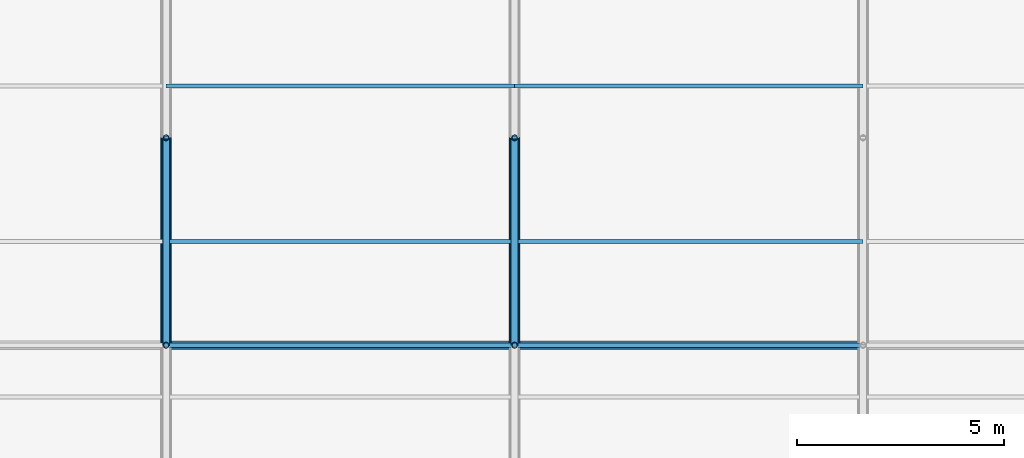
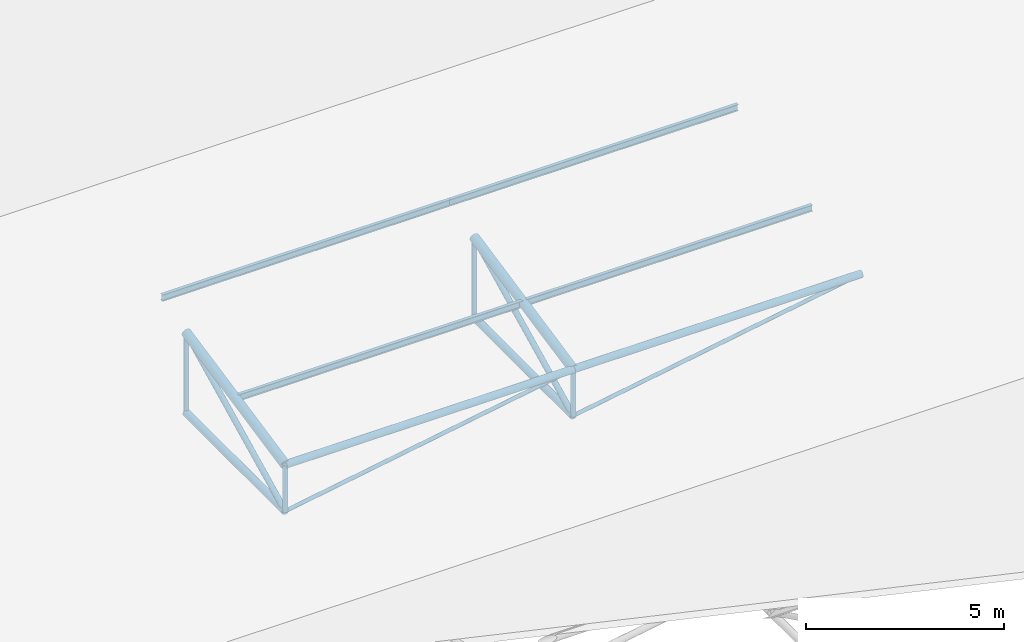
# One storey, part 92 of 194: 14 members, 4 beams.
"""IFC4 building model written with IfcOpenShell, lengths in metres."""

from ifc_helpers import new_model, si_unit, direction, frame, origin, origin_2d, place, context, subcontext, project, spatial, hollow_circle, i_section, extrude, material, material_profile, profile_set, type_object, element, save


model = new_model("IFC4")

# Units and contexts
model_context = context("Model", 3, precision=1e-05, world=origin(), true_north=direction((0.0, 1.0)))
body_context = subcontext(model_context, "Body", "Model", "MODEL_VIEW")
ifc_project = project(units=[si_unit("LENGTHUNIT", "METRE"), si_unit("AREAUNIT", "SQUARE_METRE"), si_unit("VOLUMEUNIT", "CUBIC_METRE"), si_unit("PLANEANGLEUNIT", "RADIAN"), si_unit("MASSUNIT", "GRAM", prefix="KILO")], contexts=[model_context])

# Site, building, storey
site_placement = place(None, origin())
site = spatial("IfcSite", under=ifc_project, at=site_placement, CompositionType="ELEMENT")
building_placement = place(site_placement, origin())
building = spatial("IfcBuilding", under=site, at=building_placement, Name="Kazenagashi Tramway Depot", CompositionType="ELEMENT")
storey_placement = place(building_placement, frame((0.0, 0.0, 23.7)))
storey = spatial("IfcBuildingStorey", under=building, at=storey_placement, Name="ROOF", CompositionType="ELEMENT", Elevation=23.7)

# Beams
ifc_material_1 = material(Name="Steel SN400B", Category="steel")
ifc_material_profile_1 = material_profile(ifc_material_1, i_section(OverallWidth=0.1, OverallDepth=0.2, WebThickness=0.0055, FlangeThickness=0.008, at=origin_2d()), Name="H-200x100x5.5x8")
ifc_profile_set_1 = profile_set([ifc_material_profile_1], Name="Steel SN400B")
beam_type = type_object("IfcBeamType", Name="PR-01", PredefinedType="USERDEFINED", material=ifc_profile_set_1)
for number, where, z_axis, x_axis, name in (
    (1, (145.6, 107.5, -12.13), (1.0, 0.0, 0.0), (0.0, 1.0, 0.0), "Beam PR-01 BM-2156"),
    (2, (154.0, 107.5, -12.13), (1.0, 0.0, 0.0), (0.0, 1.0, 0.0), "Beam PR-01 BM-2157"),
    (3, (145.6, 111.25, -11.305), (1.0, 0.0, 0.0), (0.0, 1.0, 0.0), "Beam PR-01 BM-2174"),
    (4, (154.0, 111.25, -11.305), (1.0, 0.0, 0.0), (0.0, 1.0, 0.0), "Beam PR-01 BM-2175"),
):
    element("IfcBeam", number, at=place(storey_placement, frame(where, z_axis=z_axis, x_axis=x_axis)), inside=storey, type_object=beam_type, Name=name, ObjectType="PURLIN", PredefinedType="USERDEFINED", context=body_context, shape_type="SweptSolid", body=[
        extrude(i_section(OverallWidth=0.1, OverallDepth=0.2, WebThickness=0.0055, FlangeThickness=0.008, at=origin_2d()), origin(), (0.0, 0.0, 1.0), 8.4),
    ])

# Members
ifc_material_2 = material(Name="Steel STK490", Category="steel")
ifc_material_profile_2 = material_profile(ifc_material_2, hollow_circle(Radius=0.1337, WallThickness=0.0093, at=origin_2d()), Name="CHS-267.4x9.3")
ifc_profile_set_2 = profile_set([ifc_material_profile_2], Name="Steel STK490")
member_type_1 = type_object("IfcMemberType", Name="TC-01", PredefinedType="CHORD", material=ifc_profile_set_2)
for number, where, z_axis, x_axis, name in (
    (5, (145.6, 105.0, -12.667), (0.0, 0.979279174591, 0.202514933305), (-1.0, 0.0, 0.0), "Tubular Space Frame TC-01 MEM-0767"),
    (6, (154.0, 105.0, -12.667), (0.0, 0.979279174591, 0.202514933305), (-1.0, 0.0, 0.0), "Tubular Space Frame TC-01 MEM-0828"),
):
    element("IfcMember", number, at=place(storey_placement, frame(where, z_axis=z_axis, x_axis=x_axis)), inside=storey, type_object=member_type_1, Name=name, PredefinedType="CHORD", context=body_context, shape_type="SweptSolid", body=[
        extrude(hollow_circle(Radius=0.1337, WallThickness=0.0093, at=origin_2d()), origin(), (0.0, 0.0, 1.0), 5.105796),
    ])
ifc_material_profile_3 = material_profile(ifc_material_2, hollow_circle(Radius=0.10815, WallThickness=0.0082, at=origin_2d()), Name="CHS-216.3x8.2")
ifc_profile_set_3 = profile_set([ifc_material_profile_3], Name="Steel STK490")
member_type_2 = type_object("IfcMemberType", Name="TC-02", PredefinedType="CHORD", material=ifc_profile_set_3)
member_1_placement = place(storey_placement, frame((145.6, 105.0, -14.1), z_axis=(0.0, 1.0, 0.0), x_axis=(-1.0, 0.0, 0.0)))
element("IfcMember", 7, at=member_1_placement, inside=storey, type_object=member_type_2, Name="Tubular Space Frame TC-02 MEM-0768", PredefinedType="CHORD", context=body_context, shape_type="SweptSolid", body=[
    extrude(hollow_circle(Radius=0.10815, WallThickness=0.0082, at=origin_2d()), origin(), (0.0, 0.0, 1.0), 5.0),
])
member_2_placement = place(storey_placement, frame((145.6, 105.0, -12.667), z_axis=(1.0, 0.0, 0.0), x_axis=(0.0, 1.0, 0.0)))
element("IfcMember", 8, at=member_2_placement, inside=storey, type_object=member_type_2, Name="Tubular Space Frame TC-02 MEM-0788", PredefinedType="CHORD", context=body_context, shape_type="SweptSolid", body=[
    extrude(hollow_circle(Radius=0.10815, WallThickness=0.0082, at=origin_2d()), origin(), (0.0, 0.0, 1.0), 8.4),
])
member_3_placement = place(storey_placement, frame((154.0, 105.0, -14.1), z_axis=(0.0, 1.0, 0.0), x_axis=(-1.0, 0.0, 0.0)))
element("IfcMember", 9, at=member_3_placement, inside=storey, type_object=member_type_2, Name="Tubular Space Frame TC-02 MEM-0829", PredefinedType="CHORD", context=body_context, shape_type="SweptSolid", body=[
    extrude(hollow_circle(Radius=0.10815, WallThickness=0.0082, at=origin_2d()), origin(), (0.0, 0.0, 1.0), 5.0),
])
member_4_placement = place(storey_placement, frame((154.0, 105.0, -12.667), z_axis=(1.0, 0.0, 0.0), x_axis=(0.0, 1.0, 0.0)))
element("IfcMember", 10, at=member_4_placement, inside=storey, type_object=member_type_2, Name="Tubular Space Frame TC-02 MEM-0849", PredefinedType="CHORD", context=body_context, shape_type="SweptSolid", body=[
    extrude(hollow_circle(Radius=0.10815, WallThickness=0.0082, at=origin_2d()), origin(), (0.0, 0.0, 1.0), 8.4),
])
ifc_material_profile_4 = material_profile(ifc_material_2, hollow_circle(Radius=0.0826, WallThickness=0.0071, at=origin_2d()), Name="CHS-165.2x7.1")
ifc_profile_set_4 = profile_set([ifc_material_profile_4], Name="Steel STK490")
member_type_3 = type_object("IfcMemberType", Name="TS-01", PredefinedType="STRUT", material=ifc_profile_set_4)
for number, where, z_axis, x_axis, name in (
    (11, (145.6, 105.0, -14.1), (0.0, 0.896782162482, 0.442472318969), (-1.0, 0.0, 0.0), "Tubular Space Frame TS-01 MEM-0769"),
    (12, (154.0, 105.0, -14.1), (0.0, 0.896782162482, 0.442472318969), (-1.0, 0.0, 0.0), "Tubular Space Frame TS-01 MEM-0830"),
):
    element("IfcMember", number, at=place(storey_placement, frame(where, z_axis=z_axis, x_axis=x_axis)), inside=storey, type_object=member_type_3, Name=name, PredefinedType="STRUT", context=body_context, shape_type="SweptSolid", body=[
        extrude(hollow_circle(Radius=0.0826, WallThickness=0.0071, at=origin_2d()), origin(), (0.0, 0.0, 1.0), 5.57549),
    ])
ifc_material_profile_5 = material_profile(ifc_material_2, hollow_circle(Radius=0.0699, WallThickness=0.0066, at=origin_2d()), Name="CHS-139.8x6.6")
ifc_profile_set_5 = profile_set([ifc_material_profile_5], Name="Steel STK490")
member_type_4 = type_object("IfcMemberType", Name="TS-02", PredefinedType="STRUT", material=ifc_profile_set_5)
member_5_placement = place(storey_placement, frame((145.6, 105.0, -14.1), z_axis=(0.0, 0.0, 1.0), x_axis=(1.0, 0.0, 0.0)))
element("IfcMember", 13, at=member_5_placement, inside=storey, type_object=member_type_4, Name="Tubular Space Frame TS-02 MEM-0782", PredefinedType="STRUT", context=body_context, shape_type="SweptSolid", body=[
    extrude(hollow_circle(Radius=0.0699, WallThickness=0.0066, at=origin_2d()), origin(), (0.0, 0.0, 1.0), 1.433),
])
member_6_placement = place(storey_placement, frame((145.6, 110.0, -14.1), z_axis=(0.0, 0.0, 1.0), x_axis=(1.0, 0.0, 0.0)))
element("IfcMember", 14, at=member_6_placement, inside=storey, type_object=member_type_4, Name="Tubular Space Frame TS-02 MEM-0783", PredefinedType="STRUT", context=body_context, shape_type="SweptSolid", body=[
    extrude(hollow_circle(Radius=0.0699, WallThickness=0.0066, at=origin_2d()), origin(), (0.0, 0.0, 1.0), 2.467),
])
member_7_placement = place(storey_placement, frame((154.0, 105.0, -14.1), z_axis=(0.0, 0.0, 1.0), x_axis=(1.0, 0.0, 0.0)))
element("IfcMember", 15, at=member_7_placement, inside=storey, type_object=member_type_4, Name="Tubular Space Frame TS-02 MEM-0843", PredefinedType="STRUT", context=body_context, shape_type="SweptSolid", body=[
    extrude(hollow_circle(Radius=0.0699, WallThickness=0.0066, at=origin_2d()), origin(), (0.0, 0.0, 1.0), 1.433),
])
member_8_placement = place(storey_placement, frame((154.0, 110.0, -14.1), z_axis=(0.0, 0.0, 1.0), x_axis=(1.0, 0.0, 0.0)))
element("IfcMember", 16, at=member_8_placement, inside=storey, type_object=member_type_4, Name="Tubular Space Frame TS-02 MEM-0844", PredefinedType="STRUT", context=body_context, shape_type="SweptSolid", body=[
    extrude(hollow_circle(Radius=0.0699, WallThickness=0.0066, at=origin_2d()), origin(), (0.0, 0.0, 1.0), 2.467),
])
ifc_material_3 = material(Name="Steel STK400", Category="steel")
ifc_material_profile_6 = material_profile(ifc_material_3, hollow_circle(Radius=0.05715, WallThickness=0.0045, at=origin_2d()), Name="CHS-114.3x4.5")
ifc_profile_set_6 = profile_set([ifc_material_profile_6], Name="Steel STK400")
member_type_5 = type_object("IfcMemberType", Name="TS-03", PredefinedType="STRUT", material=ifc_profile_set_6)
for number, where, z_axis, x_axis, name in (
    (17, (145.6, 105.0, -14.1), (0.985758734117, 0.0, 0.168165745951), (0.0, 1.0, 0.0), "Tubular Space Frame TS-03 MEM-0789"),
    (18, (154.0, 105.0, -14.1), (0.985758734117, 0.0, 0.168165745951), (0.0, 1.0, 0.0), "Tubular Space Frame TS-03 MEM-0850"),
):
    element("IfcMember", number, at=place(storey_placement, frame(where, z_axis=z_axis, x_axis=x_axis)), inside=storey, type_object=member_type_5, Name=name, PredefinedType="STRUT", context=body_context, shape_type="SweptSolid", body=[
        extrude(hollow_circle(Radius=0.05715, WallThickness=0.0045, at=origin_2d()), origin(), (0.0, 0.0, 1.0), 8.521355),
    ])

save(model, "model.ifc")
